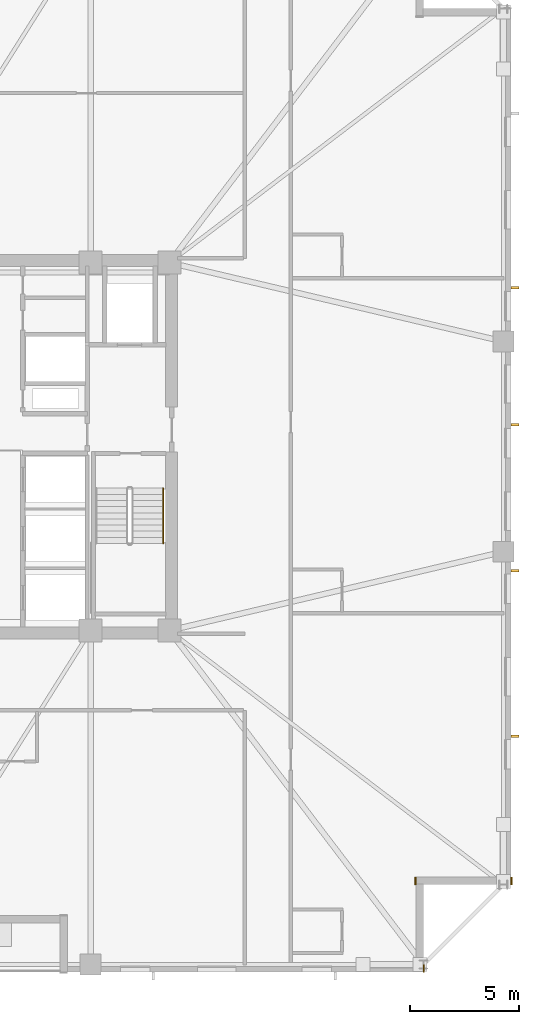
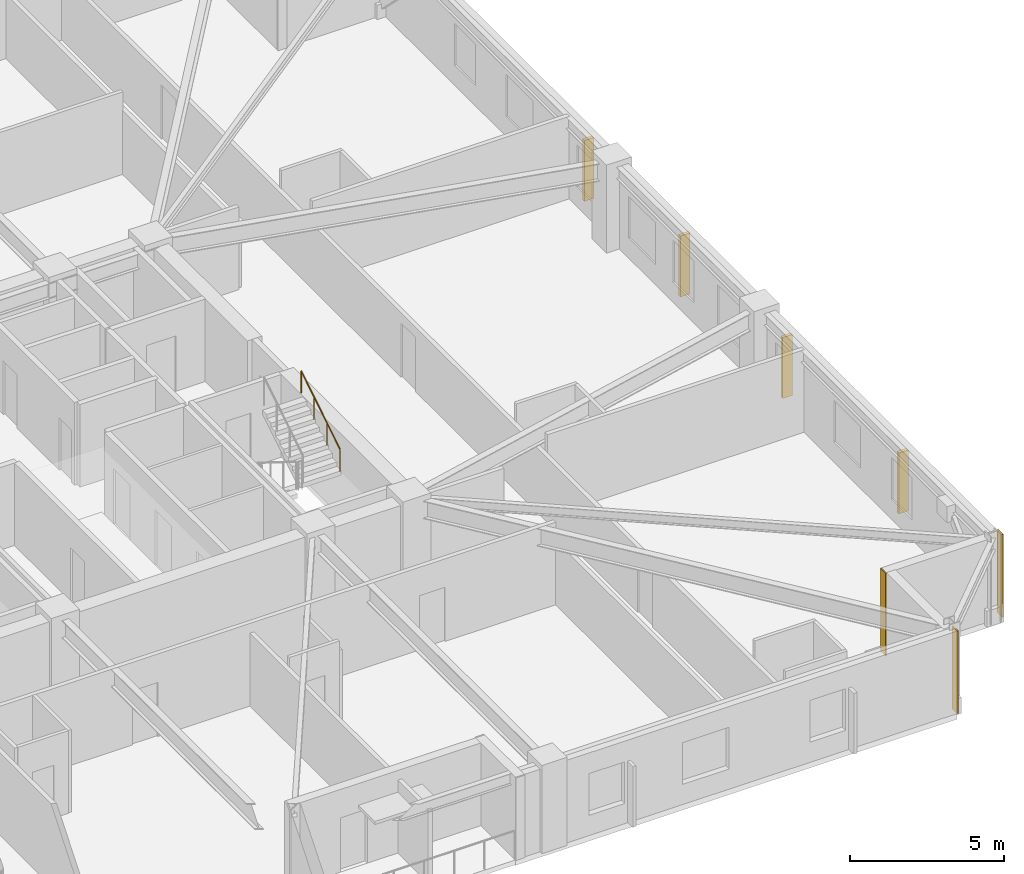
# One storey, part 9 of 11: 4 shading devices, 3 coverings, 1 railing.
"""IFC4 building model written with IfcOpenShell, lengths in metres."""

from ifc_helpers import new_model, si_unit, direction, frame, frame_2d, origin, origin_2d, place, context, subcontext, project, spatial, rectangle, circle, extrude, material, layer, layer_set, type_object, element, save


model = new_model("IFC4")

# Units and contexts
model_context = context("Model", 3, precision=1e-05, world=origin(), true_north=direction((0.0, 1.0)))
body_context = subcontext(model_context, "Body", "Model", "MODEL_VIEW")
ifc_project = project(units=[si_unit("LENGTHUNIT", "METRE"), si_unit("AREAUNIT", "SQUARE_METRE"), si_unit("VOLUMEUNIT", "CUBIC_METRE"), si_unit("PLANEANGLEUNIT", "RADIAN"), si_unit("MASSUNIT", "GRAM", prefix="KILO")], contexts=[model_context])

# Site, building, storey
site_placement = place(None, origin())
site = spatial("IfcSite", under=ifc_project, at=site_placement, CompositionType="ELEMENT")
building_placement = place(site_placement, origin())
building = spatial("IfcBuilding", under=site, at=building_placement, Name="Cairnveth Concourse Tower", CompositionType="ELEMENT")
storey_placement = place(building_placement, frame((0.0, 0.0, 155.0)))
storey = spatial("IfcBuildingStorey", under=building, at=storey_placement, Name="L42", CompositionType="ELEMENT", Elevation=155.0)

# Coverings
ifc_material_1 = material(Name="Dressed Melbourne Bluestone Cladding", Category="masonry")
ifc_layer = layer(ifc_material_1, 0.050048828125)
ifc_layer_set = layer_set([ifc_layer], Name="Dressed Melbourne Bluestone Cladding")
covering_type = type_object("IfcCoveringType", Name="DRESSED BLUESTONE PLINTH CLADDING 50", PredefinedType="CLADDING", material=ifc_layer_set)
for number, where, z_axis, x_axis, name in (
    (1, (76.02001953125, 19.340087890625, 0.0), (0.0, 0.0, 1.0), (0.0, -1.0, 0.0), "Melbourne Bluestone Corner Quoin L42-621"),
    (2, (71.639892578125, 19.340087890625, 0.0), (0.0, 0.0, 1.0), (0.0, -1.0, 0.0), "Melbourne Bluestone Corner Quoin L42-622"),
    (3, (72.02001953125, 15.340087890625, 0.0), (0.0, 0.0, 1.0), (0.0, -1.0, 0.0), "Melbourne Bluestone Corner Quoin L42-623"),
):
    element("IfcCovering", number, at=place(storey_placement, frame(where, z_axis=z_axis, x_axis=x_axis)), inside=storey, type_object=covering_type, Name=name, PredefinedType="CLADDING", context=body_context, shape_type="SweptSolid", body=[
        extrude(rectangle(XDim=0.340087890625, YDim=0.050048828125, at=frame_2d((0.169921875, 0.0))), origin(), (0.0, 0.0, 1.0), 3.280029296875),
    ])

# Shading devices
ifc_material_2 = material(Name="Architectural Bronze Anodised Aluminium 6063-T6", Category="aluminium")
shading_device_type = type_object("IfcShadingDeviceType", Name="GOTHIC BRONZE VERTICAL LANCET FIN", PredefinedType="USERDEFINED", material=ifc_material_2)
for number, where, z_axis, x_axis, name in (
    (4, (76.175048828125, 46.251220703125, 0.030029296875), (0.0, 0.0, 1.0), (0.0, 1.0, 0.0), "Gothic Bronze Vertical Fin L42-9-3"),
    (5, (76.175048828125, 39.993896484375, 0.030029296875), (0.0, 0.0, 1.0), (0.0, 1.0, 0.0), "Gothic Bronze Vertical Fin L42-9-5"),
    (6, (76.175048828125, 33.3369140625, 0.030029296875), (0.0, 0.0, 1.0), (0.0, 1.0, 0.0), "Gothic Bronze Vertical Fin L42-9-7"),
    (7, (76.175048828125, 25.77978515625, 0.030029296875), (0.0, 0.0, 1.0), (0.0, 1.0, 0.0), "Gothic Bronze Vertical Fin L42-9-9"),
):
    element("IfcShadingDevice", number, at=place(storey_placement, frame(where, z_axis=z_axis, x_axis=x_axis)), inside=storey, type_object=shading_device_type, Name=name, ObjectType="VERTICAL FIN", PredefinedType="USERDEFINED", context=body_context, shape_type="SweptSolid", body=[
        extrude(rectangle(XDim=0.1201171875, YDim=0.360107421875, at=origin_2d()), origin(), (0.0, 0.0, 1.0), 2.419921875),
    ])

# Railing
ifc_material_3 = material(Name="Steel Grade 350", Category="steel")
railing_type = type_object("IfcRailingType", Name="STAIR WALL HANDRAIL 900", PredefinedType="HANDRAIL", material=ifc_material_3)
railing_placement = place(storey_placement, frame((60.110107421875, 34.580078125, 1.925048828125)))
element("IfcRailing", 8, at=railing_placement, inside=storey, type_object=railing_type, Name="L42 ST-2 stair handrail 2", PredefinedType="HANDRAIL", context=body_context, shape_type="SweptSolid", body=[
    extrude(circle(Radius=0.02392578125, at=origin_2d()), frame((0.0, 0.0, 0.8759765625), z_axis=(0.0, 0.848007534815, 0.529984170421), x_axis=(-1.0, 0.0, 0.0)), (0.0, 0.0, 1.0), 2.9716796875),
    extrude(circle(Radius=0.02099609375, at=origin_2d()), origin(), (0.0, 0.0, 1.0), 0.851806640625),
    extrude(circle(Radius=0.02099609375, at=origin_2d()), frame((0.0, 0.840087890625, 0.52490234375)), (0.0, 0.0, 1.0), 0.851806640625),
    extrude(circle(Radius=0.02099609375, at=origin_2d()), frame((0.0, 1.679931640625, 1.050048828125)), (0.0, 0.0, 1.0), 0.851806640625),
    extrude(circle(Radius=0.02099609375, at=origin_2d()), frame((0.0, 2.52001953125, 1.574951171875)), (0.0, 0.0, 1.0), 0.851806640625),
])

save(model, "model.ifc")
